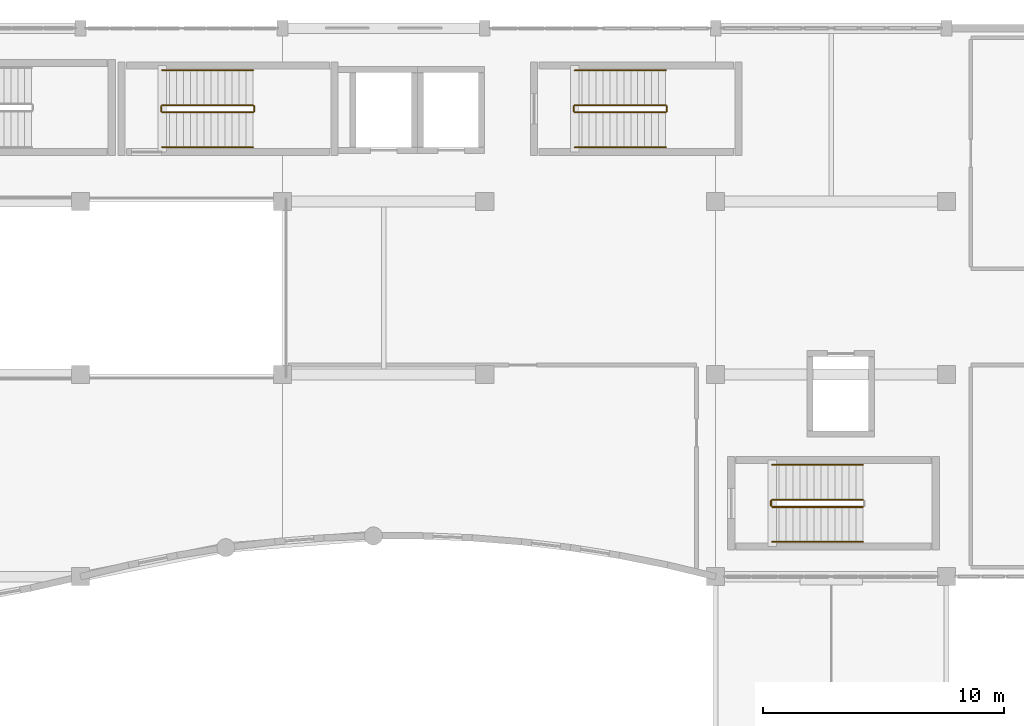
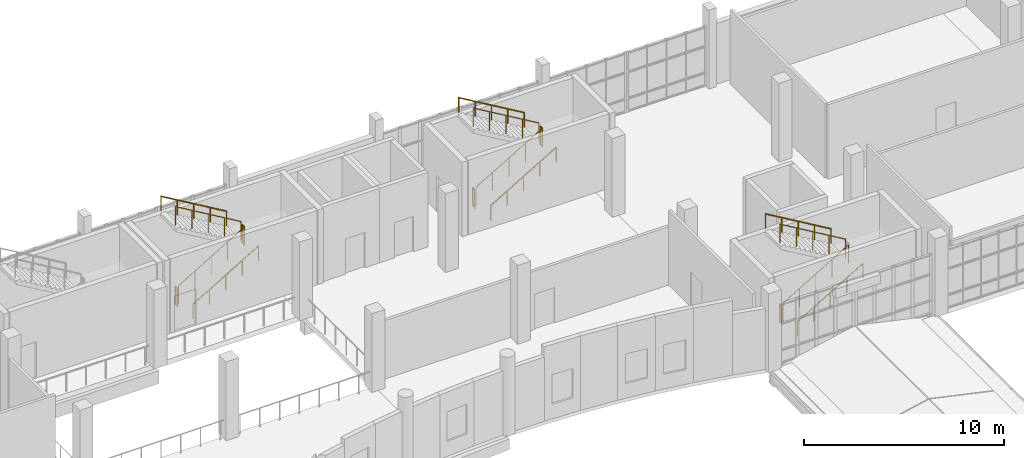
# One storey, part 101 of 106: 17 railings.
"""IFC4 building model written with IfcOpenShell, lengths in metres."""

import ifcopenshell
import ifcopenshell.guid

model = None  # the IFC model being written
_history = None  # IfcOwnerHistory: only IFC2X3 demands one
_inside = {}  # id of a spatial element -> (the spatial element, [elements in it])
_under = {}  # id of a project, library or spatial element -> (it, [spatial elements below it])
_declared = {}  # id of a project -> (the project, [libraries it declares])
_typed = {}  # id of a type object -> (the type object, [elements of that type])
_made_of = {}  # id of a material, layer set ... -> (it, [elements and type objects made of it])


def new_model(schema):
    """Start an empty IFC model of exactly this schema.

    Asked for "IFC4X3", IfcOpenShell would pick the latest addendum, in which some entities
    have other attributes; the version numbers below select the first issue.
    IFC2X3 requires an IfcOwnerHistory on every rooted entity: one is made here for all.
    """
    global model, _history
    if schema == "IFC4X3":
        model = ifcopenshell.file(schema_version=(4, 3, 0, 0))
    else:
        model = ifcopenshell.file(schema=schema)
    _inside.clear()
    _under.clear()
    _declared.clear()
    _typed.clear()
    _made_of.clear()
    _history = None
    if model.schema == "IFC2X3":
        org = make("IfcOrganization", Name="unknown")
        user = make(
            "IfcPersonAndOrganization",
            ThePerson=make("IfcPerson", FamilyName="unknown"),
            TheOrganization=org,
        )
        app = make(
            "IfcApplication",
            ApplicationDeveloper=org,
            Version="unknown",
            ApplicationFullName="unknown",
            ApplicationIdentifier="unknown",
        )
        _history = make(
            "IfcOwnerHistory",
            OwningUser=user,
            OwningApplication=app,
            ChangeAction="ADDED",
            CreationDate=0,
        )
    return model


def make(cls, **values):
    """One entity of the class cls with the attributes given. An attribute that is None is left unset."""
    return model.create_entity(
        cls, **{name: value for name, value in values.items() if value is not None}
    )


def rooted(cls, **values):
    """An entity with a GlobalId (a new one), such as an element, a storey or a relation."""
    return make(cls, GlobalId=ifcopenshell.guid.new(), OwnerHistory=_history, **values)


def si_unit(unit_type, name, prefix=None):
    """IfcSIUnit, for example si_unit("LENGTHUNIT", "METRE", prefix="MILLI")."""
    return make("IfcSIUnit", UnitType=unit_type, Prefix=prefix, Name=name)


def assignment(units):
    """IfcUnitAssignment: the units of a project."""
    return None if units is None else make("IfcUnitAssignment", Units=units)


def point(xyz):
    """IfcCartesianPoint."""
    return None if xyz is None else make("IfcCartesianPoint", Coordinates=xyz)


def direction(xyz):
    """IfcDirection."""
    return None if xyz is None else make("IfcDirection", DirectionRatios=xyz)


def frame(location, z_axis=None, x_axis=None):
    """IfcAxis2Placement3D, a coordinate frame: its origin and axes. An axis left out is left unset."""
    return make(
        "IfcAxis2Placement3D",
        Location=point(location),
        Axis=direction(z_axis),
        RefDirection=direction(x_axis),
    )


def frame_2d(location, x_axis=None):
    """IfcAxis2Placement2D, a coordinate frame in the plane: its origin and x axis."""
    return make(
        "IfcAxis2Placement2D", Location=point(location), RefDirection=direction(x_axis)
    )


def origin():
    """The frame at (0, 0, 0) with its axes left unset."""
    return frame((0.0, 0.0, 0.0))


def origin_2d():
    """The frame at (0, 0) in the plane with its x axis left unset."""
    return frame_2d((0.0, 0.0))


def place(relative_to, where):
    """IfcLocalPlacement: puts the frame where relative to a parent placement (None: the world)."""
    return make(
        "IfcLocalPlacement", PlacementRelTo=relative_to, RelativePlacement=where
    )


def context(
    kind, dimensions, precision=None, world=None, true_north=None, identifier=None
):
    """IfcGeometricRepresentationContext, for example the 3D "Model" context."""
    return make(
        "IfcGeometricRepresentationContext",
        ContextIdentifier=identifier,
        ContextType=kind,
        CoordinateSpaceDimension=dimensions,
        Precision=precision,
        WorldCoordinateSystem=world,
        TrueNorth=true_north,
    )


def subcontext(parent, identifier, kind, view, scale=None):
    """IfcGeometricRepresentationSubContext, for example "Body" below "Model"."""
    return make(
        "IfcGeometricRepresentationSubContext",
        ContextIdentifier=identifier,
        ContextType=kind,
        ParentContext=parent,
        TargetScale=scale,
        TargetView=view,
    )


def project(units=None, contexts=None):
    """IfcProject with its units and contexts."""
    return rooted(
        "IfcProject",
        Name="project",
        RepresentationContexts=contexts,
        UnitsInContext=assignment(units),
    )


def spatial(cls, under=None, at=None, **own):
    """A site, building, storey or space (cls), placed at a placement, below another one or the project."""
    s = rooted(cls, ObjectPlacement=at, **own)
    if under is not None:
        _under.setdefault(under.id(), (under, []))[1].append(s)
    return s


def profile(cls, at=None, kind="AREA", **sizes):
    """A parametric profile (cls). Its sizes go by their IFC names, for example OverallWidth=200.0."""
    return make(cls, ProfileType=kind, Position=at, **sizes)


def circle(**sizes):
    """IfcCircleProfileDef."""
    return profile("IfcCircleProfileDef", **sizes)


def extrude(swept, where, along, depth):
    """IfcExtrudedAreaSolid: the profile swept, set in the frame where, extruded along a direction by depth."""
    return make(
        "IfcExtrudedAreaSolid",
        SweptArea=swept,
        Position=where,
        ExtrudedDirection=direction(along),
        Depth=depth,
    )


def shape(context_of_items, identifier, shape_type, items):
    """IfcShapeRepresentation: the items that make up one representation, for example the "Body"."""
    return make(
        "IfcShapeRepresentation",
        ContextOfItems=context_of_items,
        RepresentationIdentifier=identifier,
        RepresentationType=shape_type,
        Items=items,
    )


def material(Name=None, Category=None):
    """IfcMaterial."""
    return make("IfcMaterial", Name=Name, Category=Category)


def made_of(thing, what):
    """Note that an element or type object is made of a material, layer set ...; save() writes the relation."""
    if what is not None:
        _made_of.setdefault(what.id(), (what, []))[1].append(thing)
    return thing


def type_object(cls, material=None, **own):
    """A type object (cls), such as IfcWallType, which elements share."""
    return made_of(rooted(cls, **own), material)


def element(
    cls,
    number,
    at=None,
    inside=None,
    cuts=None,
    type_object=None,
    material=None,
    context=None,
    identifier="Body",
    shape_type=None,
    held_by="IfcProductDefinitionShape",
    body=None,
    shapes=None,
    **own,
):
    """One element of the class cls, such as IfcWall. Its Tag is "e" and its number.

    at: its placement. inside: the storey or other place that contains it. cuts: it is an
    opening in that element (IfcRelVoidsElement). A single representation is given by context,
    identifier, shape_type and body (its items); several are given by shapes. held_by: the class
    of the entity that holds the representations. save() writes the other relations.
    """
    e = rooted(cls, Tag="e%d" % number, ObjectPlacement=at, **own)
    if body is not None:
        shapes = [shape(context, identifier, shape_type, body)]
    if shapes is not None:
        e.Representation = make(held_by, Representations=shapes)
    if inside is not None:
        _inside.setdefault(inside.id(), (inside, []))[1].append(e)
    if cuts is not None:
        rooted(
            "IfcRelVoidsElement", RelatingBuildingElement=cuts, RelatedOpeningElement=e
        )
    if type_object is not None:
        _typed.setdefault(type_object.id(), (type_object, []))[1].append(e)
    return made_of(e, material)


def aggregate(whole, parts):
    """IfcRelAggregates: a whole, such as a stair, and the parts it consists of."""
    return rooted("IfcRelAggregates", RelatingObject=whole, RelatedObjects=parts)


def save(model, path):
    """Write the relations noted so far, then the file.

    IfcRelAggregates (storeys below a building ...), IfcRelContainedInSpatialStructure (elements
    in a storey), IfcRelDefinesByType, IfcRelAssociatesMaterial and IfcRelDeclares: one each for
    every whole, place, type object, material and project.
    """
    for whole, parts in _under.values():
        aggregate(whole, parts)
    for where, things in _inside.values():
        rooted(
            "IfcRelContainedInSpatialStructure",
            RelatedElements=things,
            RelatingStructure=where,
        )
    for kind, things in _typed.values():
        rooted("IfcRelDefinesByType", RelatedObjects=things, RelatingType=kind)
    for what, things in _made_of.values():
        rooted("IfcRelAssociatesMaterial", RelatedObjects=things, RelatingMaterial=what)
    for by, libraries in _declared.values():
        rooted("IfcRelDeclares", RelatingContext=by, RelatedDefinitions=libraries)
    model.write(path)


model = new_model("IFC4")

# Units and contexts
model_context = context("Model", 3, precision=1e-05, world=origin(), true_north=direction((0.0, 1.0)))
body_context = subcontext(model_context, "Body", "Model", "MODEL_VIEW")
ifc_project = project(units=[si_unit("LENGTHUNIT", "METRE"), si_unit("AREAUNIT", "SQUARE_METRE"), si_unit("VOLUMEUNIT", "CUBIC_METRE"), si_unit("PLANEANGLEUNIT", "RADIAN"), si_unit("MASSUNIT", "GRAM", prefix="KILO")], contexts=[model_context])

# Site, building, storey
site_placement = place(None, origin())
site = spatial("IfcSite", under=ifc_project, at=site_placement, CompositionType="ELEMENT")
building_placement = place(site_placement, origin())
building = spatial("IfcBuilding", under=site, at=building_placement, Name="Kisaragi Civic Commons", CompositionType="ELEMENT")
storey_placement = place(building_placement, frame((0.0, 0.0, 4.800048828125)))
storey = spatial("IfcBuildingStorey", under=building, at=storey_placement, Name="L01", CompositionType="ELEMENT", Elevation=4.800048828125)

# Railings
ifc_material = material(Name="Powder-coated architectural steel and hinoki cap rail", Category="steel")
railing_type_1 = type_object("IfcRailingType", Name="GRD-S1", PredefinedType="GUARDRAIL", material=ifc_material)
railing_1_placement = place(storey_placement, frame((100.60009765625, 115.300048828125, 0.17138671875)))
element("IfcRailing", 1, at=railing_1_placement, inside=storey, type_object=railing_type_1, Name="L01 ST-L1 stair guard 1", PredefinedType="GUARDRAIL", context=body_context, shape_type="SweptSolid", body=[
    extrude(circle(Radius=0.02392578125, at=origin_2d()), frame((0.0, 0.0, 1.1259765625), z_axis=(0.860848830602, 0.0, 0.508860777473), x_axis=(0.0, 1.0, 0.0)), (0.0, 0.0, 1.0), 4.37939453125),
    extrude(circle(Radius=0.02099609375, at=origin_2d()), origin(), (0.0, 0.0, 1.0), 1.101806640625),
    extrude(circle(Radius=0.02099609375, at=origin_2d()), frame((0.9423828125, 0.0, 0.55712890625)), (0.0, 0.0, 1.0), 1.101806640625),
    extrude(circle(Radius=0.02099609375, at=origin_2d()), frame((1.885009765625, 0.0, 1.1142578125)), (0.0, 0.0, 1.0), 1.101806640625),
    extrude(circle(Radius=0.02099609375, at=origin_2d()), frame((2.82763671875, 0.0, 1.67138671875)), (0.0, 0.0, 1.0), 1.101806640625),
    extrude(circle(Radius=0.02099609375, at=origin_2d()), frame((3.77001953125, 0.0, 2.228515625)), (0.0, 0.0, 1.0), 1.101806640625),
])
railing_2_placement = place(storey_placement, frame((104.419921875, 115.35009765625, 2.39990234375)))
element("IfcRailing", 2, at=railing_2_placement, inside=storey, type_object=railing_type_1, Name="L01 ST-L1 stair guard 2", PredefinedType="GUARDRAIL", context=body_context, shape_type="SweptSolid", body=[
    extrude(circle(Radius=0.02392578125, at=origin_2d()), frame((0.0, 0.0, 1.1259765625), z_axis=(0.0, 1.0, 0.0), x_axis=(-1.0, 0.0, 0.0)), (0.0, 0.0, 1.0), 0.199951171875),
    extrude(circle(Radius=0.02099609375, at=origin_2d()), origin(), (0.0, 0.0, 1.0), 1.101806640625),
    extrude(circle(Radius=0.02099609375, at=origin_2d()), frame((0.0, 0.199951171875, 0.0)), (0.0, 0.0, 1.0), 1.101806640625),
])
railing_3_placement = place(storey_placement, frame((104.3701171875, 115.60009765625, 2.5712890625)))
element("IfcRailing", 3, at=railing_3_placement, inside=storey, type_object=railing_type_1, Name="L01 ST-L1 stair guard 3", PredefinedType="GUARDRAIL", context=body_context, shape_type="SweptSolid", body=[
    extrude(circle(Radius=0.02392578125, at=origin_2d()), frame((0.0, 0.0, 1.1259765625), z_axis=(-0.860824410104, 0.0, 0.508902087802), x_axis=(0.0, -1.0, 0.0)), (0.0, 0.0, 1.0), 4.379638671875),
    extrude(circle(Radius=0.02099609375, at=origin_2d()), origin(), (0.0, 0.0, 1.0), 1.101806640625),
    extrude(circle(Radius=0.02099609375, at=origin_2d()), frame((-0.9423828125, 0.0, 0.55712890625)), (0.0, 0.0, 1.0), 1.101806640625),
    extrude(circle(Radius=0.02099609375, at=origin_2d()), frame((-1.885009765625, 0.0, 1.1142578125)), (0.0, 0.0, 1.0), 1.101806640625),
    extrude(circle(Radius=0.02099609375, at=origin_2d()), frame((-2.82763671875, 0.0, 1.671630859375)), (0.0, 0.0, 1.0), 1.101806640625),
    extrude(circle(Radius=0.02099609375, at=origin_2d()), frame((-3.77001953125, 0.0, 2.228759765625)), (0.0, 0.0, 1.0), 1.101806640625),
])
railing_4_placement = place(storey_placement, frame((100.550048828125, 115.35009765625, 0.0)))
element("IfcRailing", 4, at=railing_4_placement, inside=storey, type_object=railing_type_1, Name="L01 ST-L1 stair guard 4", PredefinedType="GUARDRAIL", context=body_context, shape_type="SweptSolid", body=[
    extrude(circle(Radius=0.02392578125, at=origin_2d()), frame((0.0, 0.0, 1.1259765625), z_axis=(0.0, 1.0, 0.0), x_axis=(-1.0, 0.0, 0.0)), (0.0, 0.0, 1.0), 0.199951171875),
    extrude(circle(Radius=0.02099609375, at=origin_2d()), origin(), (0.0, 0.0, 1.0), 1.101806640625),
    extrude(circle(Radius=0.02099609375, at=origin_2d()), frame((0.0, 0.199951171875, 0.0)), (0.0, 0.0, 1.0), 1.101806640625),
])
railing_5_placement = place(storey_placement, frame((117.75, 115.300048828125, 0.17138671875)))
element("IfcRailing", 5, at=railing_5_placement, inside=storey, type_object=railing_type_1, Name="L01 ST-L2 stair guard 1", PredefinedType="GUARDRAIL", context=body_context, shape_type="SweptSolid", body=[
    extrude(circle(Radius=0.02392578125, at=origin_2d()), frame((0.0, 0.0, 1.1259765625), z_axis=(0.860848830602, 0.0, 0.508860777473), x_axis=(0.0, 1.0, 0.0)), (0.0, 0.0, 1.0), 4.37939453125),
    extrude(circle(Radius=0.02099609375, at=origin_2d()), origin(), (0.0, 0.0, 1.0), 1.101806640625),
    extrude(circle(Radius=0.02099609375, at=origin_2d()), frame((0.9423828125, 0.0, 0.55712890625)), (0.0, 0.0, 1.0), 1.101806640625),
    extrude(circle(Radius=0.02099609375, at=origin_2d()), frame((1.885009765625, 0.0, 1.1142578125)), (0.0, 0.0, 1.0), 1.101806640625),
    extrude(circle(Radius=0.02099609375, at=origin_2d()), frame((2.82763671875, 0.0, 1.67138671875)), (0.0, 0.0, 1.0), 1.101806640625),
    extrude(circle(Radius=0.02099609375, at=origin_2d()), frame((3.77001953125, 0.0, 2.228515625)), (0.0, 0.0, 1.0), 1.101806640625),
])
railing_6_placement = place(storey_placement, frame((121.570068359375, 115.35009765625, 2.39990234375)))
element("IfcRailing", 6, at=railing_6_placement, inside=storey, type_object=railing_type_1, Name="L01 ST-L2 stair guard 2", PredefinedType="GUARDRAIL", context=body_context, shape_type="SweptSolid", body=[
    extrude(circle(Radius=0.02392578125, at=origin_2d()), frame((0.0, 0.0, 1.1259765625), z_axis=(0.0, 1.0, 0.0), x_axis=(-1.0, 0.0, 0.0)), (0.0, 0.0, 1.0), 0.199951171875),
    extrude(circle(Radius=0.02099609375, at=origin_2d()), origin(), (0.0, 0.0, 1.0), 1.101806640625),
    extrude(circle(Radius=0.02099609375, at=origin_2d()), frame((0.0, 0.199951171875, 0.0)), (0.0, 0.0, 1.0), 1.101806640625),
])
railing_7_placement = place(storey_placement, frame((121.52001953125, 115.60009765625, 2.5712890625)))
element("IfcRailing", 7, at=railing_7_placement, inside=storey, type_object=railing_type_1, Name="L01 ST-L2 stair guard 3", PredefinedType="GUARDRAIL", context=body_context, shape_type="SweptSolid", body=[
    extrude(circle(Radius=0.02392578125, at=origin_2d()), frame((0.0, 0.0, 1.1259765625), z_axis=(-0.860824410104, 0.0, 0.508902087802), x_axis=(0.0, -1.0, 0.0)), (0.0, 0.0, 1.0), 4.379638671875),
    extrude(circle(Radius=0.02099609375, at=origin_2d()), origin(), (0.0, 0.0, 1.0), 1.101806640625),
    extrude(circle(Radius=0.02099609375, at=origin_2d()), frame((-0.9423828125, 0.0, 0.55712890625)), (0.0, 0.0, 1.0), 1.101806640625),
    extrude(circle(Radius=0.02099609375, at=origin_2d()), frame((-1.885009765625, 0.0, 1.1142578125)), (0.0, 0.0, 1.0), 1.101806640625),
    extrude(circle(Radius=0.02099609375, at=origin_2d()), frame((-2.82763671875, 0.0, 1.671630859375)), (0.0, 0.0, 1.0), 1.101806640625),
    extrude(circle(Radius=0.02099609375, at=origin_2d()), frame((-3.77001953125, 0.0, 2.228759765625)), (0.0, 0.0, 1.0), 1.101806640625),
])
railing_8_placement = place(storey_placement, frame((117.699951171875, 115.35009765625, 0.0)))
element("IfcRailing", 8, at=railing_8_placement, inside=storey, type_object=railing_type_1, Name="L01 ST-L2 stair guard 4", PredefinedType="GUARDRAIL", context=body_context, shape_type="SweptSolid", body=[
    extrude(circle(Radius=0.02392578125, at=origin_2d()), frame((0.0, 0.0, 1.1259765625), z_axis=(0.0, 1.0, 0.0), x_axis=(-1.0, 0.0, 0.0)), (0.0, 0.0, 1.0), 0.199951171875),
    extrude(circle(Radius=0.02099609375, at=origin_2d()), origin(), (0.0, 0.0, 1.0), 1.101806640625),
    extrude(circle(Radius=0.02099609375, at=origin_2d()), frame((0.0, 0.199951171875, 0.0)), (0.0, 0.0, 1.0), 1.101806640625),
])
railing_9_placement = place(storey_placement, frame((125.949951171875, 98.89990234375, 0.17138671875)))
element("IfcRailing", 9, at=railing_9_placement, inside=storey, type_object=railing_type_1, Name="L01 ST-L3 stair guard 1", PredefinedType="GUARDRAIL", context=body_context, shape_type="SweptSolid", body=[
    extrude(circle(Radius=0.02392578125, at=origin_2d()), frame((0.0, 0.0, 1.1259765625), z_axis=(0.860848830602, 0.0, 0.508860777473), x_axis=(0.0, 1.0, 0.0)), (0.0, 0.0, 1.0), 4.37939453125),
    extrude(circle(Radius=0.02099609375, at=origin_2d()), origin(), (0.0, 0.0, 1.0), 1.101806640625),
    extrude(circle(Radius=0.02099609375, at=origin_2d()), frame((0.9423828125, 0.0, 0.55712890625)), (0.0, 0.0, 1.0), 1.101806640625),
    extrude(circle(Radius=0.02099609375, at=origin_2d()), frame((1.885009765625, 0.0, 1.1142578125)), (0.0, 0.0, 1.0), 1.101806640625),
    extrude(circle(Radius=0.02099609375, at=origin_2d()), frame((2.82763671875, 0.0, 1.67138671875)), (0.0, 0.0, 1.0), 1.101806640625),
    extrude(circle(Radius=0.02099609375, at=origin_2d()), frame((3.77001953125, 0.0, 2.228515625)), (0.0, 0.0, 1.0), 1.101806640625),
])
railing_10_placement = place(storey_placement, frame((129.719970703125, 99.199951171875, 2.5712890625)))
element("IfcRailing", 10, at=railing_10_placement, inside=storey, type_object=railing_type_1, Name="L01 ST-L3 stair guard 3", PredefinedType="GUARDRAIL", context=body_context, shape_type="SweptSolid", body=[
    extrude(circle(Radius=0.02392578125, at=origin_2d()), frame((0.0, 0.0, 1.1259765625), z_axis=(-0.860824410104, 0.0, 0.508902087802), x_axis=(0.0, -1.0, 0.0)), (0.0, 0.0, 1.0), 4.379638671875),
    extrude(circle(Radius=0.02099609375, at=origin_2d()), origin(), (0.0, 0.0, 1.0), 1.101806640625),
    extrude(circle(Radius=0.02099609375, at=origin_2d()), frame((-0.9423828125, 0.0, 0.55712890625)), (0.0, 0.0, 1.0), 1.101806640625),
    extrude(circle(Radius=0.02099609375, at=origin_2d()), frame((-1.885009765625, 0.0, 1.1142578125)), (0.0, 0.0, 1.0), 1.101806640625),
    extrude(circle(Radius=0.02099609375, at=origin_2d()), frame((-2.82763671875, 0.0, 1.671630859375)), (0.0, 0.0, 1.0), 1.101806640625),
    extrude(circle(Radius=0.02099609375, at=origin_2d()), frame((-3.77001953125, 0.0, 2.228759765625)), (0.0, 0.0, 1.0), 1.101806640625),
])
railing_11_placement = place(storey_placement, frame((125.89990234375, 98.949951171875, 0.0)))
element("IfcRailing", 11, at=railing_11_placement, inside=storey, type_object=railing_type_1, Name="L01 ST-L3 stair guard 4", PredefinedType="GUARDRAIL", context=body_context, shape_type="SweptSolid", body=[
    extrude(circle(Radius=0.02392578125, at=origin_2d()), frame((0.0, 0.0, 1.1259765625), z_axis=(0.0, 1.0, 0.0), x_axis=(-1.0, 0.0, 0.0)), (0.0, 0.0, 1.0), 0.199951171875),
    extrude(circle(Radius=0.02099609375, at=origin_2d()), origin(), (0.0, 0.0, 1.0), 1.101806640625),
    extrude(circle(Radius=0.02099609375, at=origin_2d()), frame((0.0, 0.199951171875, 0.0)), (0.0, 0.0, 1.0), 1.101806640625),
])
railing_type_2 = type_object("IfcRailingType", Name="HRL-01", PredefinedType="HANDRAIL", material=ifc_material)
railing_12_placement = place(storey_placement, frame((100.60009765625, 113.85009765625, 0.17138671875)))
element("IfcRailing", 12, at=railing_12_placement, inside=storey, type_object=railing_type_2, Name="L01 ST-L1 stair handrail 1", PredefinedType="HANDRAIL", context=body_context, shape_type="SweptSolid", body=[
    extrude(circle(Radius=0.02392578125, at=origin_2d()), frame((0.0, 0.0, 0.8759765625), z_axis=(0.860848830602, 0.0, 0.508860777473), x_axis=(0.0, 1.0, 0.0)), (0.0, 0.0, 1.0), 4.37939453125),
    extrude(circle(Radius=0.02099609375, at=origin_2d()), origin(), (0.0, 0.0, 1.0), 0.851806640625),
    extrude(circle(Radius=0.02099609375, at=origin_2d()), frame((0.9423828125, 0.0, 0.55712890625)), (0.0, 0.0, 1.0), 0.851806640625),
    extrude(circle(Radius=0.02099609375, at=origin_2d()), frame((1.885009765625, 0.0, 1.1142578125)), (0.0, 0.0, 1.0), 0.851806640625),
    extrude(circle(Radius=0.02099609375, at=origin_2d()), frame((2.82763671875, 0.0, 1.67138671875)), (0.0, 0.0, 1.0), 0.851806640625),
    extrude(circle(Radius=0.02099609375, at=origin_2d()), frame((3.77001953125, 0.0, 2.228515625)), (0.0, 0.0, 1.0), 0.851806640625),
])
railing_13_placement = place(storey_placement, frame((104.3701171875, 117.050048828125, 2.5712890625)))
element("IfcRailing", 13, at=railing_13_placement, inside=storey, type_object=railing_type_2, Name="L01 ST-L1 stair handrail 2", PredefinedType="HANDRAIL", context=body_context, shape_type="SweptSolid", body=[
    extrude(circle(Radius=0.02392578125, at=origin_2d()), frame((0.0, 0.0, 0.8759765625), z_axis=(-0.860824410104, 0.0, 0.508902087802), x_axis=(0.0, -1.0, 0.0)), (0.0, 0.0, 1.0), 4.379638671875),
    extrude(circle(Radius=0.02099609375, at=origin_2d()), origin(), (0.0, 0.0, 1.0), 0.851806640625),
    extrude(circle(Radius=0.02099609375, at=origin_2d()), frame((-0.9423828125, 0.0, 0.55712890625)), (0.0, 0.0, 1.0), 0.851806640625),
    extrude(circle(Radius=0.02099609375, at=origin_2d()), frame((-1.885009765625, 0.0, 1.1142578125)), (0.0, 0.0, 1.0), 0.851806640625),
    extrude(circle(Radius=0.02099609375, at=origin_2d()), frame((-2.82763671875, 0.0, 1.671630859375)), (0.0, 0.0, 1.0), 0.851806640625),
    extrude(circle(Radius=0.02099609375, at=origin_2d()), frame((-3.77001953125, 0.0, 2.228759765625)), (0.0, 0.0, 1.0), 0.851806640625),
])
railing_14_placement = place(storey_placement, frame((117.75, 113.85009765625, 0.17138671875)))
element("IfcRailing", 14, at=railing_14_placement, inside=storey, type_object=railing_type_2, Name="L01 ST-L2 stair handrail 1", PredefinedType="HANDRAIL", context=body_context, shape_type="SweptSolid", body=[
    extrude(circle(Radius=0.02392578125, at=origin_2d()), frame((0.0, 0.0, 0.8759765625), z_axis=(0.860848830602, 0.0, 0.508860777473), x_axis=(0.0, 1.0, 0.0)), (0.0, 0.0, 1.0), 4.37939453125),
    extrude(circle(Radius=0.02099609375, at=origin_2d()), origin(), (0.0, 0.0, 1.0), 0.851806640625),
    extrude(circle(Radius=0.02099609375, at=origin_2d()), frame((0.9423828125, 0.0, 0.55712890625)), (0.0, 0.0, 1.0), 0.851806640625),
    extrude(circle(Radius=0.02099609375, at=origin_2d()), frame((1.885009765625, 0.0, 1.1142578125)), (0.0, 0.0, 1.0), 0.851806640625),
    extrude(circle(Radius=0.02099609375, at=origin_2d()), frame((2.82763671875, 0.0, 1.67138671875)), (0.0, 0.0, 1.0), 0.851806640625),
    extrude(circle(Radius=0.02099609375, at=origin_2d()), frame((3.77001953125, 0.0, 2.228515625)), (0.0, 0.0, 1.0), 0.851806640625),
])
railing_15_placement = place(storey_placement, frame((121.52001953125, 117.050048828125, 2.5712890625)))
element("IfcRailing", 15, at=railing_15_placement, inside=storey, type_object=railing_type_2, Name="L01 ST-L2 stair handrail 2", PredefinedType="HANDRAIL", context=body_context, shape_type="SweptSolid", body=[
    extrude(circle(Radius=0.02392578125, at=origin_2d()), frame((0.0, 0.0, 0.8759765625), z_axis=(-0.860824410104, 0.0, 0.508902087802), x_axis=(0.0, -1.0, 0.0)), (0.0, 0.0, 1.0), 4.379638671875),
    extrude(circle(Radius=0.02099609375, at=origin_2d()), origin(), (0.0, 0.0, 1.0), 0.851806640625),
    extrude(circle(Radius=0.02099609375, at=origin_2d()), frame((-0.9423828125, 0.0, 0.55712890625)), (0.0, 0.0, 1.0), 0.851806640625),
    extrude(circle(Radius=0.02099609375, at=origin_2d()), frame((-1.885009765625, 0.0, 1.1142578125)), (0.0, 0.0, 1.0), 0.851806640625),
    extrude(circle(Radius=0.02099609375, at=origin_2d()), frame((-2.82763671875, 0.0, 1.671630859375)), (0.0, 0.0, 1.0), 0.851806640625),
    extrude(circle(Radius=0.02099609375, at=origin_2d()), frame((-3.77001953125, 0.0, 2.228759765625)), (0.0, 0.0, 1.0), 0.851806640625),
])
railing_16_placement = place(storey_placement, frame((125.949951171875, 97.449951171875, 0.17138671875)))
element("IfcRailing", 16, at=railing_16_placement, inside=storey, type_object=railing_type_2, Name="L01 ST-L3 stair handrail 1", PredefinedType="HANDRAIL", context=body_context, shape_type="SweptSolid", body=[
    extrude(circle(Radius=0.02392578125, at=origin_2d()), frame((0.0, 0.0, 0.8759765625), z_axis=(0.860848830602, 0.0, 0.508860777473), x_axis=(0.0, 1.0, 0.0)), (0.0, 0.0, 1.0), 4.37939453125),
    extrude(circle(Radius=0.02099609375, at=origin_2d()), origin(), (0.0, 0.0, 1.0), 0.851806640625),
    extrude(circle(Radius=0.02099609375, at=origin_2d()), frame((0.9423828125, 0.0, 0.55712890625)), (0.0, 0.0, 1.0), 0.851806640625),
    extrude(circle(Radius=0.02099609375, at=origin_2d()), frame((1.885009765625, 0.0, 1.1142578125)), (0.0, 0.0, 1.0), 0.851806640625),
    extrude(circle(Radius=0.02099609375, at=origin_2d()), frame((2.82763671875, 0.0, 1.67138671875)), (0.0, 0.0, 1.0), 0.851806640625),
    extrude(circle(Radius=0.02099609375, at=origin_2d()), frame((3.77001953125, 0.0, 2.228515625)), (0.0, 0.0, 1.0), 0.851806640625),
])
railing_17_placement = place(storey_placement, frame((129.719970703125, 100.64990234375, 2.5712890625)))
element("IfcRailing", 17, at=railing_17_placement, inside=storey, type_object=railing_type_2, Name="L01 ST-L3 stair handrail 2", PredefinedType="HANDRAIL", context=body_context, shape_type="SweptSolid", body=[
    extrude(circle(Radius=0.02392578125, at=origin_2d()), frame((0.0, 0.0, 0.8759765625), z_axis=(-0.860824410104, 0.0, 0.508902087802), x_axis=(0.0, -1.0, 0.0)), (0.0, 0.0, 1.0), 4.379638671875),
    extrude(circle(Radius=0.02099609375, at=origin_2d()), origin(), (0.0, 0.0, 1.0), 0.851806640625),
    extrude(circle(Radius=0.02099609375, at=origin_2d()), frame((-0.9423828125, 0.0, 0.55712890625)), (0.0, 0.0, 1.0), 0.851806640625),
    extrude(circle(Radius=0.02099609375, at=origin_2d()), frame((-1.885009765625, 0.0, 1.1142578125)), (0.0, 0.0, 1.0), 0.851806640625),
    extrude(circle(Radius=0.02099609375, at=origin_2d()), frame((-2.82763671875, 0.0, 1.671630859375)), (0.0, 0.0, 1.0), 0.851806640625),
    extrude(circle(Radius=0.02099609375, at=origin_2d()), frame((-3.77001953125, 0.0, 2.228759765625)), (0.0, 0.0, 1.0), 0.851806640625),
])

save(model, "model.ifc")
